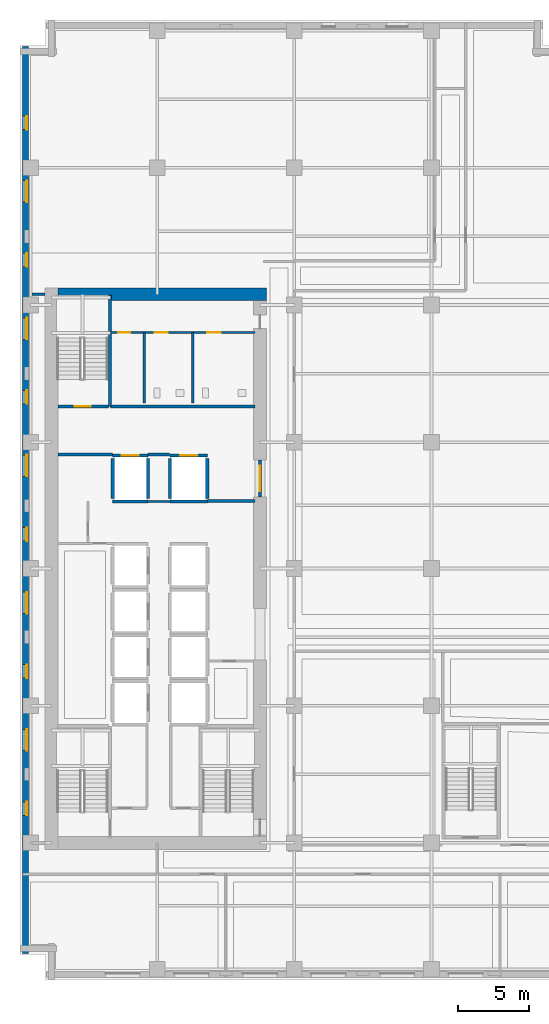
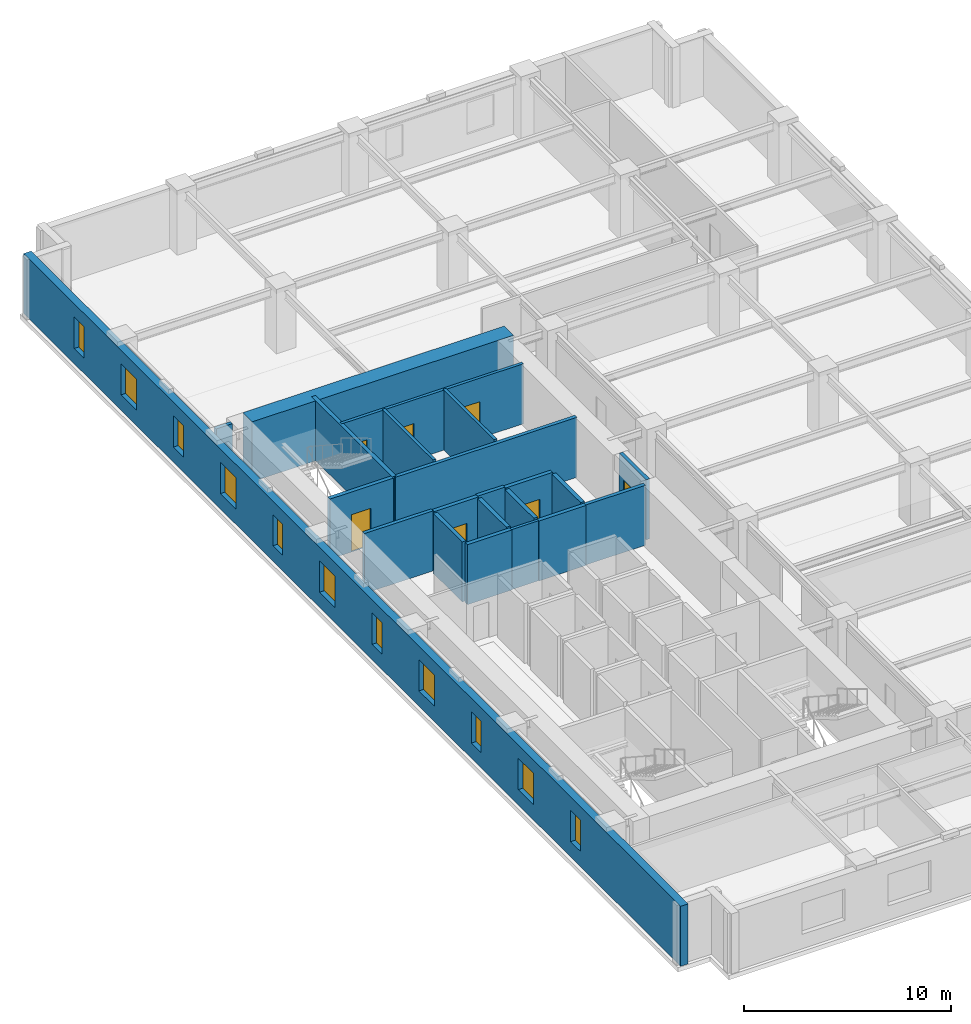
# One storey, part 6 of 13: 22 walls, 11 windows, 7 doors, 18 openings.
"""IFC4 building model written with IfcOpenShell, lengths in metres."""

import ifcopenshell
import ifcopenshell.guid

model = None  # the IFC model being written
_history = None  # IfcOwnerHistory: only IFC2X3 demands one
_inside = {}  # id of a spatial element -> (the spatial element, [elements in it])
_under = {}  # id of a project, library or spatial element -> (it, [spatial elements below it])
_declared = {}  # id of a project -> (the project, [libraries it declares])
_typed = {}  # id of a type object -> (the type object, [elements of that type])
_made_of = {}  # id of a material, layer set ... -> (it, [elements and type objects made of it])


def new_model(schema):
    """Start an empty IFC model of exactly this schema.

    Asked for "IFC4X3", IfcOpenShell would pick the latest addendum, in which some entities
    have other attributes; the version numbers below select the first issue.
    IFC2X3 requires an IfcOwnerHistory on every rooted entity: one is made here for all.
    """
    global model, _history
    if schema == "IFC4X3":
        model = ifcopenshell.file(schema_version=(4, 3, 0, 0))
    else:
        model = ifcopenshell.file(schema=schema)
    _inside.clear()
    _under.clear()
    _declared.clear()
    _typed.clear()
    _made_of.clear()
    _history = None
    if model.schema == "IFC2X3":
        org = make("IfcOrganization", Name="unknown")
        user = make(
            "IfcPersonAndOrganization",
            ThePerson=make("IfcPerson", FamilyName="unknown"),
            TheOrganization=org,
        )
        app = make(
            "IfcApplication",
            ApplicationDeveloper=org,
            Version="unknown",
            ApplicationFullName="unknown",
            ApplicationIdentifier="unknown",
        )
        _history = make(
            "IfcOwnerHistory",
            OwningUser=user,
            OwningApplication=app,
            ChangeAction="ADDED",
            CreationDate=0,
        )
    return model


def make(cls, **values):
    """One entity of the class cls with the attributes given. An attribute that is None is left unset."""
    return model.create_entity(
        cls, **{name: value for name, value in values.items() if value is not None}
    )


def rooted(cls, **values):
    """An entity with a GlobalId (a new one), such as an element, a storey or a relation."""
    return make(cls, GlobalId=ifcopenshell.guid.new(), OwnerHistory=_history, **values)


def si_unit(unit_type, name, prefix=None):
    """IfcSIUnit, for example si_unit("LENGTHUNIT", "METRE", prefix="MILLI")."""
    return make("IfcSIUnit", UnitType=unit_type, Prefix=prefix, Name=name)


def assignment(units):
    """IfcUnitAssignment: the units of a project."""
    return None if units is None else make("IfcUnitAssignment", Units=units)


def point(xyz):
    """IfcCartesianPoint."""
    return None if xyz is None else make("IfcCartesianPoint", Coordinates=xyz)


def direction(xyz):
    """IfcDirection."""
    return None if xyz is None else make("IfcDirection", DirectionRatios=xyz)


def frame(location, z_axis=None, x_axis=None):
    """IfcAxis2Placement3D, a coordinate frame: its origin and axes. An axis left out is left unset."""
    return make(
        "IfcAxis2Placement3D",
        Location=point(location),
        Axis=direction(z_axis),
        RefDirection=direction(x_axis),
    )


def frame_2d(location, x_axis=None):
    """IfcAxis2Placement2D, a coordinate frame in the plane: its origin and x axis."""
    return make(
        "IfcAxis2Placement2D", Location=point(location), RefDirection=direction(x_axis)
    )


def origin():
    """The frame at (0, 0, 0) with its axes left unset."""
    return frame((0.0, 0.0, 0.0))


def place(relative_to, where):
    """IfcLocalPlacement: puts the frame where relative to a parent placement (None: the world)."""
    return make(
        "IfcLocalPlacement", PlacementRelTo=relative_to, RelativePlacement=where
    )


def context(
    kind, dimensions, precision=None, world=None, true_north=None, identifier=None
):
    """IfcGeometricRepresentationContext, for example the 3D "Model" context."""
    return make(
        "IfcGeometricRepresentationContext",
        ContextIdentifier=identifier,
        ContextType=kind,
        CoordinateSpaceDimension=dimensions,
        Precision=precision,
        WorldCoordinateSystem=world,
        TrueNorth=true_north,
    )


def subcontext(parent, identifier, kind, view, scale=None):
    """IfcGeometricRepresentationSubContext, for example "Body" below "Model"."""
    return make(
        "IfcGeometricRepresentationSubContext",
        ContextIdentifier=identifier,
        ContextType=kind,
        ParentContext=parent,
        TargetScale=scale,
        TargetView=view,
    )


def project(units=None, contexts=None):
    """IfcProject with its units and contexts."""
    return rooted(
        "IfcProject",
        Name="project",
        RepresentationContexts=contexts,
        UnitsInContext=assignment(units),
    )


def spatial(cls, under=None, at=None, **own):
    """A site, building, storey or space (cls), placed at a placement, below another one or the project."""
    s = rooted(cls, ObjectPlacement=at, **own)
    if under is not None:
        _under.setdefault(under.id(), (under, []))[1].append(s)
    return s


def profile(cls, at=None, kind="AREA", **sizes):
    """A parametric profile (cls). Its sizes go by their IFC names, for example OverallWidth=200.0."""
    return make(cls, ProfileType=kind, Position=at, **sizes)


def rectangle(**sizes):
    """IfcRectangleProfileDef."""
    return profile("IfcRectangleProfileDef", **sizes)


def extrude(swept, where, along, depth):
    """IfcExtrudedAreaSolid: the profile swept, set in the frame where, extruded along a direction by depth."""
    return make(
        "IfcExtrudedAreaSolid",
        SweptArea=swept,
        Position=where,
        ExtrudedDirection=direction(along),
        Depth=depth,
    )


def shape(context_of_items, identifier, shape_type, items):
    """IfcShapeRepresentation: the items that make up one representation, for example the "Body"."""
    return make(
        "IfcShapeRepresentation",
        ContextOfItems=context_of_items,
        RepresentationIdentifier=identifier,
        RepresentationType=shape_type,
        Items=items,
    )


def material(Name=None, Category=None):
    """IfcMaterial."""
    return make("IfcMaterial", Name=Name, Category=Category)


def layer(
    of_material, thickness, ventilated=None, Name=None, Category=None, Priority=None
):
    """IfcMaterialLayer: one layer of a wall or slab, of a material (None: an air gap)."""
    return make(
        "IfcMaterialLayer",
        Material=of_material,
        LayerThickness=thickness,
        IsVentilated=ventilated,
        Name=Name,
        Category=Category,
        Priority=Priority,
    )


def layer_set(layers, Name=None):
    """IfcMaterialLayerSet."""
    return make("IfcMaterialLayerSet", MaterialLayers=layers, LayerSetName=Name)


def made_of(thing, what):
    """Note that an element or type object is made of a material, layer set ...; save() writes the relation."""
    if what is not None:
        _made_of.setdefault(what.id(), (what, []))[1].append(thing)
    return thing


def type_object(cls, material=None, **own):
    """A type object (cls), such as IfcWallType, which elements share."""
    return made_of(rooted(cls, **own), material)


def element(
    cls,
    number,
    at=None,
    inside=None,
    cuts=None,
    type_object=None,
    material=None,
    context=None,
    identifier="Body",
    shape_type=None,
    held_by="IfcProductDefinitionShape",
    body=None,
    shapes=None,
    **own,
):
    """One element of the class cls, such as IfcWall. Its Tag is "e" and its number.

    at: its placement. inside: the storey or other place that contains it. cuts: it is an
    opening in that element (IfcRelVoidsElement). A single representation is given by context,
    identifier, shape_type and body (its items); several are given by shapes. held_by: the class
    of the entity that holds the representations. save() writes the other relations.
    """
    e = rooted(cls, Tag="e%d" % number, ObjectPlacement=at, **own)
    if body is not None:
        shapes = [shape(context, identifier, shape_type, body)]
    if shapes is not None:
        e.Representation = make(held_by, Representations=shapes)
    if inside is not None:
        _inside.setdefault(inside.id(), (inside, []))[1].append(e)
    if cuts is not None:
        rooted(
            "IfcRelVoidsElement", RelatingBuildingElement=cuts, RelatedOpeningElement=e
        )
    if type_object is not None:
        _typed.setdefault(type_object.id(), (type_object, []))[1].append(e)
    return made_of(e, material)


def fill(opening, filler):
    """IfcRelFillsElement: the door or window that sits in an opening."""
    return rooted(
        "IfcRelFillsElement",
        RelatingOpeningElement=opening,
        RelatedBuildingElement=filler,
    )


def aggregate(whole, parts):
    """IfcRelAggregates: a whole, such as a stair, and the parts it consists of."""
    return rooted("IfcRelAggregates", RelatingObject=whole, RelatedObjects=parts)


def save(model, path):
    """Write the relations noted so far, then the file.

    IfcRelAggregates (storeys below a building ...), IfcRelContainedInSpatialStructure (elements
    in a storey), IfcRelDefinesByType, IfcRelAssociatesMaterial and IfcRelDeclares: one each for
    every whole, place, type object, material and project.
    """
    for whole, parts in _under.values():
        aggregate(whole, parts)
    for where, things in _inside.values():
        rooted(
            "IfcRelContainedInSpatialStructure",
            RelatedElements=things,
            RelatingStructure=where,
        )
    for kind, things in _typed.values():
        rooted("IfcRelDefinesByType", RelatedObjects=things, RelatingType=kind)
    for what, things in _made_of.values():
        rooted("IfcRelAssociatesMaterial", RelatedObjects=things, RelatingMaterial=what)
    for by, libraries in _declared.values():
        rooted("IfcRelDeclares", RelatingContext=by, RelatedDefinitions=libraries)
    model.write(path)


model = new_model("IFC4")

# Units and contexts
model_context = context("Model", 3, precision=1e-05, world=origin(), true_north=direction((0.0, 1.0)))
body_context = subcontext(model_context, "Body", "Model", "MODEL_VIEW")
ifc_project = project(units=[si_unit("LENGTHUNIT", "METRE"), si_unit("AREAUNIT", "SQUARE_METRE"), si_unit("VOLUMEUNIT", "CUBIC_METRE"), si_unit("PLANEANGLEUNIT", "RADIAN"), si_unit("MASSUNIT", "GRAM", prefix="KILO")], contexts=[model_context])

# Site, building, storey
site_placement = place(None, origin())
site = spatial("IfcSite", under=ifc_project, at=site_placement, CompositionType="ELEMENT")
building_placement = place(site_placement, origin())
building = spatial("IfcBuilding", under=site, at=building_placement, Name="Norrvale University Quadrangle", CompositionType="ELEMENT")
storey_placement = place(building_placement, frame((0.0, 0.0, 81.199951171875)))
storey = spatial("IfcBuildingStorey", under=building, at=storey_placement, Name="L20", CompositionType="ELEMENT", Elevation=81.199951171875)

# Wall, openings, windows
ifc_material_1 = material(Name="Buff Norman Clay Brick Masonry", Category="masonry")
ifc_layer_1 = layer(ifc_material_1, 0.419921875, Name="Buff Norman Clay Brick Masonry")
ifc_layer_set_1 = layer_set([ifc_layer_1], Name="Buff Norman Clay Brick Masonry")
wall_type_1 = type_object("IfcWallType", Name="Wall Buff Brick 420", PredefinedType="SOLIDWALL", material=ifc_layer_set_1)
wall_1_placement = place(storey_placement, frame((0.389892578125, 65.360107421875, 0.0), z_axis=(0.0, 0.0, 1.0), x_axis=(0.0, -1.0, 0.0)))
wall_1 = element("IfcWall", 1, at=wall_1_placement, inside=storey, type_object=wall_type_1, Name="Exterior Brick Facade Wall L20-14.1", PredefinedType="SOLIDWALL", context=body_context, shape_type="SweptSolid", body=[
    extrude(rectangle(XDim=63.52001953125, YDim=0.419921875, at=frame_2d((31.760009765625, 0.0))), origin(), (0.0, 0.0, 1.0), 3.5400390625),
])
opening_1_placement = place(wall_1_placement, frame((4.885009765625, 0.0, 0.89990234375)))
opening_1 = element("IfcOpeningElement", 2, at=opening_1_placement, cuts=wall_1, Name="Opening W04", PredefinedType="OPENING", context=body_context, shape_type="SweptSolid", body=[
    extrude(rectangle(XDim=0.949951171875, YDim=1.85009765625, at=frame_2d((0.47509765625, 0.925048828125))), frame((0.0, 0.221923828125, 0.0), z_axis=(0.0, -1.0, 0.0), x_axis=(1.0, 0.0, 0.0)), (0.0, 0.0, 1.0), 0.44384765625),
])
opening_2_placement = place(wall_1_placement, frame((9.409912109375, 0.0, 0.89990234375)))
opening_2 = element("IfcOpeningElement", 3, at=opening_2_placement, cuts=wall_1, Name="Opening W03", PredefinedType="OPENING", context=body_context, shape_type="SweptSolid", body=[
    extrude(rectangle(XDim=1.5, YDim=1.85009765625, at=frame_2d((0.75, 0.925048828125))), frame((0.0, 0.221923828125, 0.0), z_axis=(0.0, -1.0, 0.0), x_axis=(1.0, 0.0, 0.0)), (0.0, 0.0, 1.0), 0.44384765625),
])
opening_3_placement = place(wall_1_placement, frame((14.485107421875, 0.0, 0.89990234375)))
opening_3 = element("IfcOpeningElement", 4, at=opening_3_placement, cuts=wall_1, Name="Opening W04", PredefinedType="OPENING", context=body_context, shape_type="SweptSolid", body=[
    extrude(rectangle(XDim=0.949951171875, YDim=1.85009765625, at=frame_2d((0.47509765625, 0.925048828125))), frame((0.0, 0.221923828125, 0.0), z_axis=(0.0, -1.0, 0.0), x_axis=(1.0, 0.0, 0.0)), (0.0, 0.0, 1.0), 0.44384765625),
])
opening_4_placement = place(wall_1_placement, frame((19.010009765625, 0.0, 0.89990234375)))
opening_4 = element("IfcOpeningElement", 5, at=opening_4_placement, cuts=wall_1, Name="Opening W03", PredefinedType="OPENING", context=body_context, shape_type="SweptSolid", body=[
    extrude(rectangle(XDim=1.5, YDim=1.85009765625, at=frame_2d((0.75, 0.925048828125))), frame((0.0, 0.221923828125, 0.0), z_axis=(0.0, -1.0, 0.0), x_axis=(1.0, 0.0, 0.0)), (0.0, 0.0, 1.0), 0.44384765625),
])
opening_5_placement = place(wall_1_placement, frame((24.0849609375, 0.0, 0.89990234375)))
opening_5 = element("IfcOpeningElement", 6, at=opening_5_placement, cuts=wall_1, Name="Opening W04", PredefinedType="OPENING", context=body_context, shape_type="SweptSolid", body=[
    extrude(rectangle(XDim=0.949951171875, YDim=1.85009765625, at=frame_2d((0.47509765625, 0.925048828125))), frame((0.0, 0.221923828125, 0.0), z_axis=(0.0, -1.0, 0.0), x_axis=(1.0, 0.0, 0.0)), (0.0, 0.0, 1.0), 0.44384765625),
])
opening_6_placement = place(wall_1_placement, frame((28.610107421875, 0.0, 0.89990234375)))
opening_6 = element("IfcOpeningElement", 7, at=opening_6_placement, cuts=wall_1, Name="Opening W03", PredefinedType="OPENING", context=body_context, shape_type="SweptSolid", body=[
    extrude(rectangle(XDim=1.5, YDim=1.85009765625, at=frame_2d((0.75, 0.925048828125))), frame((0.0, 0.221923828125, 0.0), z_axis=(0.0, -1.0, 0.0), x_axis=(1.0, 0.0, 0.0)), (0.0, 0.0, 1.0), 0.44384765625),
])
opening_7_placement = place(wall_1_placement, frame((33.68505859375, 0.0, 0.89990234375)))
opening_7 = element("IfcOpeningElement", 8, at=opening_7_placement, cuts=wall_1, Name="Opening W04", PredefinedType="OPENING", context=body_context, shape_type="SweptSolid", body=[
    extrude(rectangle(XDim=0.949951171875, YDim=1.85009765625, at=frame_2d((0.47509765625, 0.925048828125))), frame((0.0, 0.221923828125, 0.0), z_axis=(0.0, -1.0, 0.0), x_axis=(1.0, 0.0, 0.0)), (0.0, 0.0, 1.0), 0.44384765625),
])
opening_8_placement = place(wall_1_placement, frame((38.2099609375, 0.0, 0.89990234375)))
opening_8 = element("IfcOpeningElement", 9, at=opening_8_placement, cuts=wall_1, Name="Opening W03", PredefinedType="OPENING", context=body_context, shape_type="SweptSolid", body=[
    extrude(rectangle(XDim=1.5, YDim=1.85009765625, at=frame_2d((0.75, 0.925048828125))), frame((0.0, 0.221923828125, 0.0), z_axis=(0.0, -1.0, 0.0), x_axis=(1.0, 0.0, 0.0)), (0.0, 0.0, 1.0), 0.44384765625),
])
opening_9_placement = place(wall_1_placement, frame((43.284912109375, 0.0, 0.89990234375)))
opening_9 = element("IfcOpeningElement", 10, at=opening_9_placement, cuts=wall_1, Name="Opening W04", PredefinedType="OPENING", context=body_context, shape_type="SweptSolid", body=[
    extrude(rectangle(XDim=0.949951171875, YDim=1.85009765625, at=frame_2d((0.47509765625, 0.925048828125))), frame((0.0, 0.221923828125, 0.0), z_axis=(0.0, -1.0, 0.0), x_axis=(1.0, 0.0, 0.0)), (0.0, 0.0, 1.0), 0.44384765625),
])
opening_10_placement = place(wall_1_placement, frame((47.81005859375, 0.0, 0.89990234375)))
opening_10 = element("IfcOpeningElement", 11, at=opening_10_placement, cuts=wall_1, Name="Opening W03", PredefinedType="OPENING", context=body_context, shape_type="SweptSolid", body=[
    extrude(rectangle(XDim=1.5, YDim=1.85009765625, at=frame_2d((0.75, 0.925048828125))), frame((0.0, 0.221923828125, 0.0), z_axis=(0.0, -1.0, 0.0), x_axis=(1.0, 0.0, 0.0)), (0.0, 0.0, 1.0), 0.44384765625),
])
opening_11_placement = place(wall_1_placement, frame((52.885009765625, 0.0, 0.89990234375)))
opening_11 = element("IfcOpeningElement", 12, at=opening_11_placement, cuts=wall_1, Name="Opening W04", PredefinedType="OPENING", context=body_context, shape_type="SweptSolid", body=[
    extrude(rectangle(XDim=0.949951171875, YDim=1.85009765625, at=frame_2d((0.47509765625, 0.925048828125))), frame((0.0, 0.221923828125, 0.0), z_axis=(0.0, -1.0, 0.0), x_axis=(1.0, 0.0, 0.0)), (0.0, 0.0, 1.0), 0.44384765625),
])
ifc_material_2 = material(Name="Triple Low-E Argon Glazing", Category="glass")
window_type_1 = type_object("IfcWindowType", Name="Window Narrow Pier 950x2300", PartitioningType="SINGLE_PANEL", PredefinedType="WINDOW", material=ifc_material_2)
window_1_placement = place(opening_1_placement, origin())
window_1 = element("IfcWindow", 13, at=window_1_placement, inside=storey, type_object=window_type_1, Name="Window Narrow Pier 950x2300 WIN-L20-E14-1-01", OverallHeight=1.85009765625, OverallWidth=0.949951171875, PartitioningType="SINGLE_PANEL", PredefinedType="WINDOW", context=body_context, shape_type="SweptSolid", body=[
    extrude(rectangle(XDim=0.949951171875, YDim=1.85009765625, at=frame_2d((0.47509765625, 0.925048828125))), frame((0.0, 0.110107421875, 0.0), z_axis=(0.0, -1.0, 0.0), x_axis=(1.0, 0.0, 0.0)), (0.0, 0.0, 1.0), 0.06005859375),
])
fill(opening_1, window_1)
window_2_placement = place(opening_3_placement, origin())
window_2 = element("IfcWindow", 14, at=window_2_placement, inside=storey, type_object=window_type_1, Name="Window Narrow Pier 950x2300 WIN-L20-E14-1-03", OverallHeight=1.85009765625, OverallWidth=0.949951171875, PartitioningType="SINGLE_PANEL", PredefinedType="WINDOW", context=body_context, shape_type="SweptSolid", body=[
    extrude(rectangle(XDim=0.949951171875, YDim=1.85009765625, at=frame_2d((0.47509765625, 0.925048828125))), frame((0.0, 0.110107421875, 0.0), z_axis=(0.0, -1.0, 0.0), x_axis=(1.0, 0.0, 0.0)), (0.0, 0.0, 1.0), 0.06005859375),
])
fill(opening_3, window_2)
window_3_placement = place(opening_5_placement, origin())
window_3 = element("IfcWindow", 15, at=window_3_placement, inside=storey, type_object=window_type_1, Name="Window Narrow Pier 950x2300 WIN-L20-E14-1-05", OverallHeight=1.85009765625, OverallWidth=0.949951171875, PartitioningType="SINGLE_PANEL", PredefinedType="WINDOW", context=body_context, shape_type="SweptSolid", body=[
    extrude(rectangle(XDim=0.949951171875, YDim=1.85009765625, at=frame_2d((0.47509765625, 0.925048828125))), frame((0.0, 0.110107421875, 0.0), z_axis=(0.0, -1.0, 0.0), x_axis=(1.0, 0.0, 0.0)), (0.0, 0.0, 1.0), 0.06005859375),
])
fill(opening_5, window_3)
window_4_placement = place(opening_7_placement, origin())
window_4 = element("IfcWindow", 16, at=window_4_placement, inside=storey, type_object=window_type_1, Name="Window Narrow Pier 950x2300 WIN-L20-E14-1-07", OverallHeight=1.85009765625, OverallWidth=0.949951171875, PartitioningType="SINGLE_PANEL", PredefinedType="WINDOW", context=body_context, shape_type="SweptSolid", body=[
    extrude(rectangle(XDim=0.949951171875, YDim=1.85009765625, at=frame_2d((0.47509765625, 0.925048828125))), frame((0.0, 0.110107421875, 0.0), z_axis=(0.0, -1.0, 0.0), x_axis=(1.0, 0.0, 0.0)), (0.0, 0.0, 1.0), 0.06005859375),
])
fill(opening_7, window_4)
window_5_placement = place(opening_9_placement, origin())
window_5 = element("IfcWindow", 17, at=window_5_placement, inside=storey, type_object=window_type_1, Name="Window Narrow Pier 950x2300 WIN-L20-E14-1-09", OverallHeight=1.85009765625, OverallWidth=0.949951171875, PartitioningType="SINGLE_PANEL", PredefinedType="WINDOW", context=body_context, shape_type="SweptSolid", body=[
    extrude(rectangle(XDim=0.949951171875, YDim=1.85009765625, at=frame_2d((0.47509765625, 0.925048828125))), frame((0.0, 0.110107421875, 0.0), z_axis=(0.0, -1.0, 0.0), x_axis=(1.0, 0.0, 0.0)), (0.0, 0.0, 1.0), 0.06005859375),
])
fill(opening_9, window_5)
window_6_placement = place(opening_11_placement, origin())
window_6 = element("IfcWindow", 18, at=window_6_placement, inside=storey, type_object=window_type_1, Name="Window Narrow Pier 950x2300 WIN-L20-E14-1-11", OverallHeight=1.85009765625, OverallWidth=0.949951171875, PartitioningType="SINGLE_PANEL", PredefinedType="WINDOW", context=body_context, shape_type="SweptSolid", body=[
    extrude(rectangle(XDim=0.949951171875, YDim=1.85009765625, at=frame_2d((0.47509765625, 0.925048828125))), frame((0.0, 0.110107421875, 0.0), z_axis=(0.0, -1.0, 0.0), x_axis=(1.0, 0.0, 0.0)), (0.0, 0.0, 1.0), 0.06005859375),
])
fill(opening_11, window_6)
window_type_2 = type_object("IfcWindowType", Name="Window Studio 1500x2300", PartitioningType="DOUBLE_PANEL_VERTICAL", PredefinedType="WINDOW", material=ifc_material_2)
window_7_placement = place(opening_2_placement, origin())
window_7 = element("IfcWindow", 19, at=window_7_placement, inside=storey, type_object=window_type_2, Name="Window Studio 1500x2300 WIN-L20-E14-1-02", OverallHeight=1.85009765625, OverallWidth=1.5, PartitioningType="DOUBLE_PANEL_VERTICAL", PredefinedType="WINDOW", context=body_context, shape_type="SweptSolid", body=[
    extrude(rectangle(XDim=1.5, YDim=1.85009765625, at=frame_2d((0.75, 0.925048828125))), frame((0.0, 0.110107421875, 0.0), z_axis=(0.0, -1.0, 0.0), x_axis=(1.0, 0.0, 0.0)), (0.0, 0.0, 1.0), 0.06005859375),
])
fill(opening_2, window_7)
window_8_placement = place(opening_4_placement, origin())
window_8 = element("IfcWindow", 20, at=window_8_placement, inside=storey, type_object=window_type_2, Name="Window Studio 1500x2300 WIN-L20-E14-1-04", OverallHeight=1.85009765625, OverallWidth=1.5, PartitioningType="DOUBLE_PANEL_VERTICAL", PredefinedType="WINDOW", context=body_context, shape_type="SweptSolid", body=[
    extrude(rectangle(XDim=1.5, YDim=1.85009765625, at=frame_2d((0.75, 0.925048828125))), frame((0.0, 0.110107421875, 0.0), z_axis=(0.0, -1.0, 0.0), x_axis=(1.0, 0.0, 0.0)), (0.0, 0.0, 1.0), 0.06005859375),
])
fill(opening_4, window_8)
window_9_placement = place(opening_6_placement, origin())
window_9 = element("IfcWindow", 21, at=window_9_placement, inside=storey, type_object=window_type_2, Name="Window Studio 1500x2300 WIN-L20-E14-1-06", OverallHeight=1.85009765625, OverallWidth=1.5, PartitioningType="DOUBLE_PANEL_VERTICAL", PredefinedType="WINDOW", context=body_context, shape_type="SweptSolid", body=[
    extrude(rectangle(XDim=1.5, YDim=1.85009765625, at=frame_2d((0.75, 0.925048828125))), frame((0.0, 0.110107421875, 0.0), z_axis=(0.0, -1.0, 0.0), x_axis=(1.0, 0.0, 0.0)), (0.0, 0.0, 1.0), 0.06005859375),
])
fill(opening_6, window_9)
window_10_placement = place(opening_8_placement, origin())
window_10 = element("IfcWindow", 22, at=window_10_placement, inside=storey, type_object=window_type_2, Name="Window Studio 1500x2300 WIN-L20-E14-1-08", OverallHeight=1.85009765625, OverallWidth=1.5, PartitioningType="DOUBLE_PANEL_VERTICAL", PredefinedType="WINDOW", context=body_context, shape_type="SweptSolid", body=[
    extrude(rectangle(XDim=1.5, YDim=1.85009765625, at=frame_2d((0.75, 0.925048828125))), frame((0.0, 0.110107421875, 0.0), z_axis=(0.0, -1.0, 0.0), x_axis=(1.0, 0.0, 0.0)), (0.0, 0.0, 1.0), 0.06005859375),
])
fill(opening_8, window_10)
window_11_placement = place(opening_10_placement, origin())
window_11 = element("IfcWindow", 23, at=window_11_placement, inside=storey, type_object=window_type_2, Name="Window Studio 1500x2300 WIN-L20-E14-1-10", OverallHeight=1.85009765625, OverallWidth=1.5, PartitioningType="DOUBLE_PANEL_VERTICAL", PredefinedType="WINDOW", context=body_context, shape_type="SweptSolid", body=[
    extrude(rectangle(XDim=1.5, YDim=1.85009765625, at=frame_2d((0.75, 0.925048828125))), frame((0.0, 0.110107421875, 0.0), z_axis=(0.0, -1.0, 0.0), x_axis=(1.0, 0.0, 0.0)), (0.0, 0.0, 1.0), 0.06005859375),
])
fill(opening_10, window_11)

# Walls
ifc_material_3 = material(Name="Concrete C80/95", Category="concrete")
ifc_layer_2 = layer(ifc_material_3, 0.89990234375, Name="Concrete C80/95")
ifc_layer_set_2 = layer_set([ifc_layer_2], Name="Concrete C80/95")
wall_type_2 = type_object("IfcWallType", Name="Wall Core 900", PredefinedType="SHEAR", material=ifc_layer_set_2)
wall_2_placement = place(storey_placement, frame((2.64990234375, 48.0, 0.0), z_axis=(0.0, 0.0, 1.0), x_axis=(1.0, 0.0, 0.0)))
element("IfcWall", 24, at=wall_2_placement, inside=storey, type_object=wall_type_2, Name="Tower Core Shear Wall L20-N", PredefinedType="SHEAR", context=body_context, shape_type="SweptSolid", body=[
    extrude(rectangle(XDim=14.60009765625, YDim=0.89990234375, at=frame_2d((7.300048828125, 0.0))), origin(), (0.0, 0.0, 1.0), 3.5400390625),
])
ifc_material_4 = material(Name="Fire-Rated Gypsum Stud Partition")
ifc_layer_3 = layer(ifc_material_4, 0.14990234375, Name="Fire-Rated Gypsum Stud Partition")
ifc_layer_set_3 = layer_set([ifc_layer_3], Name="Fire-Rated Gypsum Stud Partition")
wall_type_3 = type_object("IfcWallType", Name="Wall Gypsum Corridor 150", PredefinedType="PARTITIONING", material=ifc_layer_set_3)
wall_3_placement = place(storey_placement, frame((8.965087890625, 33.489990234375, 0.0), z_axis=(0.0, 0.0, 1.0), x_axis=(1.0, 0.0, 0.0)))
element("IfcWall", 25, at=wall_3_placement, inside=storey, type_object=wall_type_3, Name="Interior Partition WL-L20-LL3", PredefinedType="PARTITIONING", context=body_context, shape_type="SweptSolid", body=[
    extrude(rectangle(XDim=1.52001953125, YDim=0.14990234375, at=frame_2d((0.760009765625, 0.0))), origin(), (0.0, 0.0, 1.0), 3.5400390625),
])

# Wall, openings, doors
ifc_material_5 = material(Name="Sanitary Chase Gypsum Partition")
ifc_layer_4 = layer(ifc_material_5, 0.1650390625, Name="Sanitary Chase Gypsum Partition")
ifc_layer_set_4 = layer_set([ifc_layer_4], Name="Sanitary Chase Gypsum Partition")
wall_type_4 = type_object("IfcWallType", Name="Wall Gypsum Sanitary 165", PredefinedType="PLUMBINGWALL", material=ifc_layer_set_4)
wall_4_placement = place(storey_placement, frame((6.320068359375, 45.320068359375, 0.0), z_axis=(0.0, 0.0, 1.0), x_axis=(1.0, 0.0, 0.0)))
wall_4 = element("IfcWall", 26, at=wall_4_placement, inside=storey, type_object=wall_type_4, Name="Interior Partition WL-L20-WCN", PredefinedType="PLUMBINGWALL", context=body_context, shape_type="SweptSolid", body=[
    extrude(rectangle(XDim=10.1298828125, YDim=0.1650390625, at=frame_2d((5.06494140625, 0.0))), origin(), (0.0, 0.0, 1.0), 3.5400390625),
])
opening_12_placement = place(wall_4_placement, frame((0.550048828125, 0.0, 0.0)))
opening_12 = element("IfcOpeningElement", 27, at=opening_12_placement, cuts=wall_4, Name="Opening D10", PredefinedType="OPENING", context=body_context, shape_type="SweptSolid", body=[
    extrude(rectangle(XDim=0.85009765625, YDim=2.10009765625, at=frame_2d((0.425048828125, 1.050048828125))), frame((0.0, 0.094482421875, 0.0), z_axis=(0.0, -1.0, 0.0), x_axis=(1.0, 0.0, 0.0)), (0.0, 0.0, 1.0), 0.18896484375),
])
opening_13_placement = place(wall_4_placement, frame((3.10009765625, 0.0, 0.0)))
opening_13 = element("IfcOpeningElement", 28, at=opening_13_placement, cuts=wall_4, Name="Opening D08", PredefinedType="OPENING", context=body_context, shape_type="SweptSolid", body=[
    extrude(rectangle(XDim=0.919921875, YDim=2.14990234375, at=frame_2d((0.4599609375, 1.074951171875))), frame((0.0, 0.094482421875, 0.0), z_axis=(0.0, -1.0, 0.0), x_axis=(1.0, 0.0, 0.0)), (0.0, 0.0, 1.0), 0.18896484375),
])
opening_14_placement = place(wall_4_placement, frame((6.800048828125, 0.0, 0.0)))
opening_14 = element("IfcOpeningElement", 29, at=opening_14_placement, cuts=wall_4, Name="Opening D08", PredefinedType="OPENING", context=body_context, shape_type="SweptSolid", body=[
    extrude(rectangle(XDim=0.919921875, YDim=2.14990234375, at=frame_2d((0.4599609375, 1.074951171875))), frame((0.0, 0.094482421875, 0.0), z_axis=(0.0, -1.0, 0.0), x_axis=(1.0, 0.0, 0.0)), (0.0, 0.0, 1.0), 0.18896484375),
])
ifc_material_6 = material(Name="Hollow Steel 350W Riser Fire Door", Category="steel")
door_type_1 = type_object("IfcDoorType", Name="Door Riser 850x2100", OperationType="NOTDEFINED", PredefinedType="DOOR", material=ifc_material_6)
door_1_placement = place(opening_12_placement, origin())
door_1 = element("IfcDoor", 30, at=door_1_placement, inside=storey, type_object=door_type_1, Name="Door Riser 850x2100 DR-L20-WC1", OperationType="SINGLE_SWING_LEFT", OverallHeight=2.10009765625, OverallWidth=0.85009765625, PredefinedType="DOOR", context=body_context, shape_type="SweptSolid", body=[
    extrude(rectangle(XDim=0.85009765625, YDim=2.10009765625, at=frame_2d((0.425048828125, 1.050048828125))), frame((0.0, 0.02490234375, 0.0), z_axis=(0.0, -1.0, 0.0), x_axis=(1.0, 0.0, 0.0)), (0.0, 0.0, 1.0), 0.050048828125),
])
fill(opening_12, door_1)
ifc_material_7 = material(Name="Laminate Washroom Door", Category="wood")
door_type_2 = type_object("IfcDoorType", Name="Door Washroom 920x2150", OperationType="NOTDEFINED", PredefinedType="DOOR", material=ifc_material_7)
door_2_placement = place(opening_13_placement, origin())
door_2 = element("IfcDoor", 31, at=door_2_placement, inside=storey, type_object=door_type_2, Name="Door Washroom 920x2150 DR-L20-WC2", OperationType="SINGLE_SWING_RIGHT", OverallHeight=2.14990234375, OverallWidth=0.919921875, PredefinedType="DOOR", context=body_context, shape_type="SweptSolid", body=[
    extrude(rectangle(XDim=0.919921875, YDim=2.14990234375, at=frame_2d((0.4599609375, 1.074951171875))), frame((0.0, 0.02490234375, 0.0), z_axis=(0.0, -1.0, 0.0), x_axis=(1.0, 0.0, 0.0)), (0.0, 0.0, 1.0), 0.050048828125),
])
fill(opening_13, door_2)
door_3_placement = place(opening_14_placement, origin())
door_3 = element("IfcDoor", 32, at=door_3_placement, inside=storey, type_object=door_type_2, Name="Door Washroom 920x2150 DR-L20-WC3", OperationType="SINGLE_SWING_LEFT", OverallHeight=2.14990234375, OverallWidth=0.919921875, PredefinedType="DOOR", context=body_context, shape_type="SweptSolid", body=[
    extrude(rectangle(XDim=0.919921875, YDim=2.14990234375, at=frame_2d((0.4599609375, 1.074951171875))), frame((0.0, 0.02490234375, 0.0), z_axis=(0.0, -1.0, 0.0), x_axis=(1.0, 0.0, 0.0)), (0.0, 0.0, 1.0), 0.050048828125),
])
fill(opening_14, door_3)

# Walls
for number, where, z_axis, x_axis, name in (
    (33, (8.699951171875, 40.39990234375, 0.0), (0.0, 0.0, 1.0), (0.0, 1.0, 0.0), "Interior Partition WL-L20-WCM1"),
    (34, (12.10009765625, 40.39990234375, 0.0), (0.0, 0.0, 1.0), (0.0, 1.0, 0.0), "Interior Partition WL-L20-WCM2"),
):
    element("IfcWall", number, at=place(storey_placement, frame(where, z_axis=z_axis, x_axis=x_axis)), inside=storey, type_object=wall_type_4, Name=name, PredefinedType="PLUMBINGWALL", context=body_context, shape_type="SweptSolid", body=[
        extrude(rectangle(XDim=4.920166015625, YDim=0.1650390625, at=frame_2d((2.4599609375, 0.0))), origin(), (0.0, 0.0, 1.0), 3.5400390625),
    ])
ifc_material_8 = material(Name="Concrete Blockwork 20 MPa Rated Wall", Category="masonry")
ifc_layer_5 = layer(ifc_material_8, 0.199951171875, Name="Concrete Blockwork 20 MPa Rated Wall")
ifc_layer_set_5 = layer_set([ifc_layer_5], Name="Concrete Blockwork 20 MPa Rated Wall")
wall_type_5 = type_object("IfcWallType", Name="Wall Lobby 200", PredefinedType="SOLIDWALL", material=ifc_layer_set_5)
wall_5_placement = place(storey_placement, frame((2.64990234375, 36.780029296875, 0.0), z_axis=(0.0, 0.0, 1.0), x_axis=(1.0, 0.0, 0.0)))
element("IfcWall", 35, at=wall_5_placement, inside=storey, type_object=wall_type_5, Name="Interior Partition WL-L20-FF1", PredefinedType="SOLIDWALL", context=body_context, shape_type="SweptSolid", body=[
    extrude(rectangle(XDim=3.830078125, YDim=0.199951171875, at=frame_2d((1.9150390625, 0.0))), origin(), (0.0, 0.0, 1.0), 3.5400390625),
])
wall_6_placement = place(storey_placement, frame((8.969970703125, 36.780029296875, 0.0), z_axis=(0.0, 0.0, 1.0), x_axis=(1.0, 0.0, 0.0)))
element("IfcWall", 36, at=wall_6_placement, inside=storey, type_object=wall_type_5, Name="Interior Partition WL-L20-FF2", PredefinedType="SOLIDWALL", context=body_context, shape_type="SweptSolid", body=[
    extrude(rectangle(XDim=1.510009765625, YDim=0.199951171875, at=frame_2d((0.7548828125, 0.0))), origin(), (0.0, 0.0, 1.0), 3.5400390625),
])
wall_7_placement = place(storey_placement, frame((13.1201171875, 33.52001953125, 0.0), z_axis=(0.0, 0.0, 1.0), x_axis=(1.0, 0.0, 0.0)))
element("IfcWall", 37, at=wall_7_placement, inside=storey, type_object=wall_type_5, Name="Interior Partition WL-L20-FF3", PredefinedType="SOLIDWALL", context=body_context, shape_type="SweptSolid", body=[
    extrude(rectangle(XDim=3.329833984375, YDim=0.199951171875, at=frame_2d((1.6650390625, 0.0))), origin(), (0.0, 0.0, 1.0), 3.5400390625),
])
wall_8_placement = place(storey_placement, frame((6.320068359375, 40.139892578125, 0.0), z_axis=(0.0, 0.0, 1.0), x_axis=(1.0, 0.0, 0.0)))
element("IfcWall", 38, at=wall_8_placement, inside=storey, type_object=wall_type_5, Name="Interior Partition WL-L20-FF4", PredefinedType="SOLIDWALL", context=body_context, shape_type="SweptSolid", body=[
    extrude(rectangle(XDim=10.1298828125, YDim=0.199951171875, at=frame_2d((5.06494140625, 0.0))), origin(), (0.0, 0.0, 1.0), 3.5400390625),
])

# Wall, opening, door
wall_9_placement = place(storey_placement, frame((16.800048828125, 33.800048828125, 0.0), z_axis=(0.0, 0.0, 1.0), x_axis=(0.0, 1.0, 0.0)))
wall_9 = element("IfcWall", 39, at=wall_9_placement, inside=storey, type_object=wall_type_5, Name="Interior Partition WL-L20-FFP", PredefinedType="SOLIDWALL", context=body_context, shape_type="SweptSolid", body=[
    extrude(rectangle(XDim=2.599853515625, YDim=0.199951171875, at=frame_2d((1.2998046875, 0.0))), origin(), (0.0, 0.0, 1.0), 3.5400390625),
])
opening_15_placement = place(wall_9_placement, frame((0.39990234375, 0.0, 0.0)))
opening_15 = element("IfcOpeningElement", 40, at=opening_15_placement, cuts=wall_9, Name="Opening D03", PredefinedType="OPENING", context=body_context, shape_type="SweptSolid", body=[
    extrude(rectangle(XDim=1.800048828125, YDim=2.199951171875, at=frame_2d((0.89990234375, 1.10009765625))), frame((0.0, 0.112060546875, 0.0), z_axis=(0.0, -1.0, 0.0), x_axis=(1.0, 0.0, 0.0)), (0.0, 0.0, 1.0), 0.223876953125),
])
ifc_material_9 = material(Name="Hollow Steel 350W Fire Door", Category="steel")
door_type_3 = type_object("IfcDoorType", Name="Door Fire Lobby 1800x2200", OperationType="DOUBLE_DOOR_SINGLE_SWING", PredefinedType="DOOR", material=ifc_material_9)
door_4_placement = place(opening_15_placement, origin())
door_4 = element("IfcDoor", 41, at=door_4_placement, inside=storey, type_object=door_type_3, Name="Door Fire Lobby 1800x2200 DR-L20-FFP", OperationType="DOUBLE_DOOR_SINGLE_SWING", OverallHeight=2.199951171875, OverallWidth=1.800048828125, PredefinedType="DOOR", context=body_context, shape_type="SweptSolid", body=[
    extrude(rectangle(XDim=1.800048828125, YDim=2.199951171875, at=frame_2d((0.89990234375, 1.10009765625))), frame((0.0, 0.02490234375, 0.0), z_axis=(0.0, -1.0, 0.0), x_axis=(1.0, 0.0, 0.0)), (0.0, 0.0, 1.0), 0.050048828125),
])
fill(opening_15, door_4)

# Wall
wall_10_placement = place(storey_placement, frame((0.85009765625, 48.0, 0.0), z_axis=(0.0, 0.0, 1.0), x_axis=(1.0, 0.0, 0.0)))
element("IfcWall", 42, at=wall_10_placement, inside=storey, type_object=wall_type_5, Name="Interior Partition WL-L20-CWRET-N", PredefinedType="SOLIDWALL", context=body_context, shape_type="SweptSolid", body=[
    extrude(rectangle(XDim=0.89501953125, YDim=0.199951171875, at=frame_2d((0.447509765625, 0.0))), origin(), (0.0, 0.0, 1.0), 3.5400390625),
])

# Wall, opening, door
ifc_material_10 = material(Name="Concrete Blockwork 20 MPa Fire Shaft", Category="masonry")
ifc_layer_6 = layer(ifc_material_10, 0.219970703125, Name="Concrete Blockwork 20 MPa Fire Shaft")
ifc_layer_set_6 = layer_set([ifc_layer_6], Name="Concrete Blockwork 20 MPa Fire Shaft")
wall_type_6 = type_object("IfcWallType", Name="Wall Shaft 220", PredefinedType="SOLIDWALL", material=ifc_layer_set_6)
wall_11_placement = place(storey_placement, frame((2.64990234375, 40.139892578125, 0.0), z_axis=(0.0, 0.0, 1.0), x_axis=(1.0, 0.0, 0.0)))
wall_11 = element("IfcWall", 43, at=wall_11_placement, inside=storey, type_object=wall_type_6, Name="Stair ST-02 South Shaft Wall L20", PredefinedType="SOLIDWALL", context=body_context, shape_type="SweptSolid", body=[
    extrude(rectangle(XDim=3.550048828125, YDim=0.219970703125, at=frame_2d((1.77490234375, 0.0))), origin(), (0.0, 0.0, 1.0), 3.5400390625),
])
opening_16_placement = place(wall_11_placement, frame((1.199951171875, 0.0, 0.0)))
opening_16 = element("IfcOpeningElement", 44, at=opening_16_placement, cuts=wall_11, Name="Opening D02", PredefinedType="OPENING", context=body_context, shape_type="SweptSolid", body=[
    extrude(rectangle(XDim=1.10009765625, YDim=2.199951171875, at=frame_2d((0.550048828125, 1.10009765625))), frame((0.0, 0.1220703125, 0.0), z_axis=(0.0, -1.0, 0.0), x_axis=(1.0, 0.0, 0.0)), (0.0, 0.0, 1.0), 0.243896484375),
])
door_type_4 = type_object("IfcDoorType", Name="Door Stair Exit 1100x2200", OperationType="NOTDEFINED", PredefinedType="DOOR", material=ifc_material_9)
door_5_placement = place(opening_16_placement, origin())
door_5 = element("IfcDoor", 45, at=door_5_placement, inside=storey, type_object=door_type_4, Name="Door Stair Exit 1100x2200 DR-L20-ST02", OperationType="SINGLE_SWING_LEFT", OverallHeight=2.199951171875, OverallWidth=1.10009765625, PredefinedType="DOOR", context=body_context, shape_type="SweptSolid", body=[
    extrude(rectangle(XDim=1.10009765625, YDim=2.199951171875, at=frame_2d((0.550048828125, 1.10009765625))), frame((0.0, 0.02490234375, 0.0), z_axis=(0.0, -1.0, 0.0), x_axis=(1.0, 0.0, 0.0)), (0.0, 0.0, 1.0), 0.050048828125),
])
fill(opening_16, door_5)

# Walls
wall_12_placement = place(storey_placement, frame((6.31005859375, 40.139892578125, 0.0), z_axis=(0.0, 0.0, 1.0), x_axis=(0.0, 1.0, 0.0)))
element("IfcWall", 46, at=wall_12_placement, inside=storey, type_object=wall_type_6, Name="Stair ST-02 East Shaft Wall L20", PredefinedType="SOLIDWALL", context=body_context, shape_type="SweptSolid", body=[
    extrude(rectangle(XDim=7.81005859375, YDim=0.219970703125, at=frame_2d((3.905029296875, 0.0))), origin(), (0.0, 0.0, 1.0), 3.5400390625),
])
for number, where, z_axis, x_axis, name in (
    (47, (6.489990234375, 33.7099609375, 0.0), (0.0, 0.0, 1.0), (0.0, 1.0, 0.0), "Hoistway FFL-01 West Wall L20"),
    (48, (8.9599609375, 33.7099609375, 0.0), (0.0, 0.0, 1.0), (0.0, 1.0, 0.0), "Hoistway FFL-01 East Wall L20"),
):
    element("IfcWall", number, at=place(storey_placement, frame(where, z_axis=z_axis, x_axis=x_axis)), inside=storey, type_object=wall_type_6, Name=name, PredefinedType="SOLIDWALL", context=body_context, shape_type="SweptSolid", body=[
        extrude(rectangle(XDim=2.780029296875, YDim=0.219970703125, at=frame_2d((1.39013671875, 0.0))), origin(), (0.0, 0.0, 1.0), 3.5400390625),
    ])
wall_13_placement = place(storey_placement, frame((6.489990234375, 33.489990234375, 0.0), z_axis=(0.0, 0.0, 1.0), x_axis=(1.0, 0.0, 0.0)))
element("IfcWall", 49, at=wall_13_placement, inside=storey, type_object=wall_type_6, Name="Hoistway FFL-01 South Wall L20", PredefinedType="SOLIDWALL", context=body_context, shape_type="SweptSolid", body=[
    extrude(rectangle(XDim=2.469970703125, YDim=0.219970703125, at=frame_2d((1.23486328125, 0.0))), origin(), (0.0, 0.0, 1.0), 3.5400390625),
])

# Wall, opening, door
wall_14_placement = place(storey_placement, frame((6.489990234375, 36.7099609375, 0.0), z_axis=(0.0, 0.0, 1.0), x_axis=(1.0, 0.0, 0.0)))
wall_14 = element("IfcWall", 50, at=wall_14_placement, inside=storey, type_object=wall_type_6, Name="Hoistway FFL-01 North Wall L20", PredefinedType="SOLIDWALL", context=body_context, shape_type="SweptSolid", body=[
    extrude(rectangle(XDim=2.469970703125, YDim=0.219970703125, at=frame_2d((1.23486328125, 0.0))), origin(), (0.0, 0.0, 1.0), 3.5400390625),
])
opening_17_placement = place(wall_14_placement, frame((0.635009765625, 0.0, 0.0)))
opening_17 = element("IfcOpeningElement", 51, at=opening_17_placement, cuts=wall_14, Name="Opening LD2", PredefinedType="OPENING", context=body_context, shape_type="SweptSolid", body=[
    extrude(rectangle(XDim=1.199951171875, YDim=2.199951171875, at=frame_2d((0.60009765625, 1.10009765625))), frame((0.0, 0.1220703125, 0.0), z_axis=(0.0, -1.0, 0.0), x_axis=(1.0, 0.0, 0.0)), (0.0, 0.0, 1.0), 0.243896484375),
])
ifc_material_11 = material(Name="Stainless Steel 316L Firefighter Lift Door", Category="steel")
door_type_5 = type_object("IfcDoorType", Name="Door Fire Lift 1200x2200", OperationType="DOUBLE_DOOR_SLIDING", PredefinedType="DOOR", material=ifc_material_11)
door_6_placement = place(opening_17_placement, origin())
door_6 = element("IfcDoor", 52, at=door_6_placement, inside=storey, type_object=door_type_5, Name="Elevator Landing Door DR-L20-FFL-01", OperationType="DOUBLE_DOOR_SLIDING", OverallHeight=2.199951171875, OverallWidth=1.199951171875, PredefinedType="DOOR", context=body_context, shape_type="SweptSolid", body=[
    extrude(rectangle(XDim=1.199951171875, YDim=2.199951171875, at=frame_2d((0.60009765625, 1.10009765625))), frame((0.0, 0.02490234375, 0.0), z_axis=(0.0, -1.0, 0.0), x_axis=(1.0, 0.0, 0.0)), (0.0, 0.0, 1.0), 0.050048828125),
])
fill(opening_17, door_6)

# Walls
for number, where, z_axis, x_axis, name in (
    (53, (10.489990234375, 33.7099609375, 0.0), (0.0, 0.0, 1.0), (0.0, 1.0, 0.0), "Hoistway FFL-02 West Wall L20"),
    (54, (13.110107421875, 33.7099609375, 0.0), (0.0, 0.0, 1.0), (0.0, 1.0, 0.0), "Hoistway FFL-02 East Wall L20"),
):
    element("IfcWall", number, at=place(storey_placement, frame(where, z_axis=z_axis, x_axis=x_axis)), inside=storey, type_object=wall_type_6, Name=name, PredefinedType="SOLIDWALL", context=body_context, shape_type="SweptSolid", body=[
        extrude(rectangle(XDim=2.780029296875, YDim=0.219970703125, at=frame_2d((1.39013671875, 0.0))), origin(), (0.0, 0.0, 1.0), 3.5400390625),
    ])
wall_15_placement = place(storey_placement, frame((10.489990234375, 33.489990234375, 0.0), z_axis=(0.0, 0.0, 1.0), x_axis=(1.0, 0.0, 0.0)))
element("IfcWall", 55, at=wall_15_placement, inside=storey, type_object=wall_type_6, Name="Hoistway FFL-02 South Wall L20", PredefinedType="SOLIDWALL", context=body_context, shape_type="SweptSolid", body=[
    extrude(rectangle(XDim=2.6201171875, YDim=0.219970703125, at=frame_2d((1.31005859375, 0.0))), origin(), (0.0, 0.0, 1.0), 3.5400390625),
])

# Wall, opening, door
wall_16_placement = place(storey_placement, frame((10.489990234375, 36.7099609375, 0.0), z_axis=(0.0, 0.0, 1.0), x_axis=(1.0, 0.0, 0.0)))
wall_16 = element("IfcWall", 56, at=wall_16_placement, inside=storey, type_object=wall_type_6, Name="Hoistway FFL-02 North Wall L20", PredefinedType="SOLIDWALL", context=body_context, shape_type="SweptSolid", body=[
    extrude(rectangle(XDim=2.6201171875, YDim=0.219970703125, at=frame_2d((1.31005859375, 0.0))), origin(), (0.0, 0.0, 1.0), 3.5400390625),
])
opening_18_placement = place(wall_16_placement, frame((0.7099609375, 0.0, 0.0)))
opening_18 = element("IfcOpeningElement", 57, at=opening_18_placement, cuts=wall_16, Name="Opening LD2", PredefinedType="OPENING", context=body_context, shape_type="SweptSolid", body=[
    extrude(rectangle(XDim=1.199951171875, YDim=2.199951171875, at=frame_2d((0.60009765625, 1.10009765625))), frame((0.0, 0.1220703125, 0.0), z_axis=(0.0, -1.0, 0.0), x_axis=(1.0, 0.0, 0.0)), (0.0, 0.0, 1.0), 0.243896484375),
])
door_7_placement = place(opening_18_placement, origin())
door_7 = element("IfcDoor", 58, at=door_7_placement, inside=storey, type_object=door_type_5, Name="Elevator Landing Door DR-L20-FFL-02", OperationType="DOUBLE_DOOR_SLIDING", OverallHeight=2.199951171875, OverallWidth=1.199951171875, PredefinedType="DOOR", context=body_context, shape_type="SweptSolid", body=[
    extrude(rectangle(XDim=1.199951171875, YDim=2.199951171875, at=frame_2d((0.60009765625, 1.10009765625))), frame((0.0, 0.02490234375, 0.0), z_axis=(0.0, -1.0, 0.0), x_axis=(1.0, 0.0, 0.0)), (0.0, 0.0, 1.0), 0.050048828125),
])
fill(opening_18, door_7)

save(model, "model.ifc")
